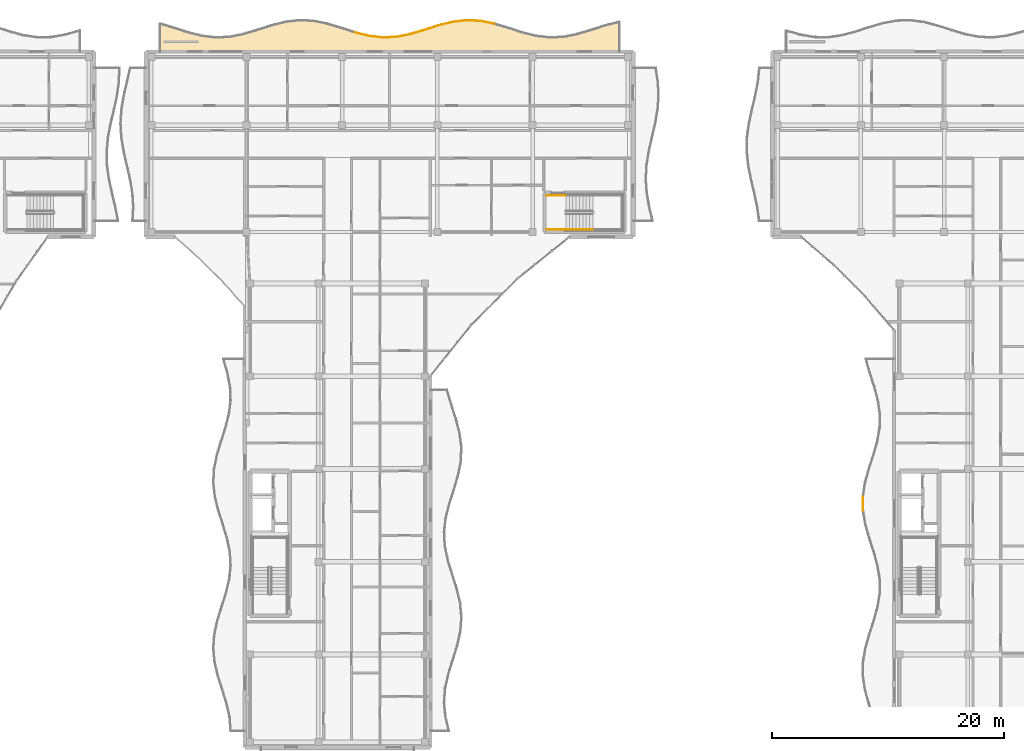
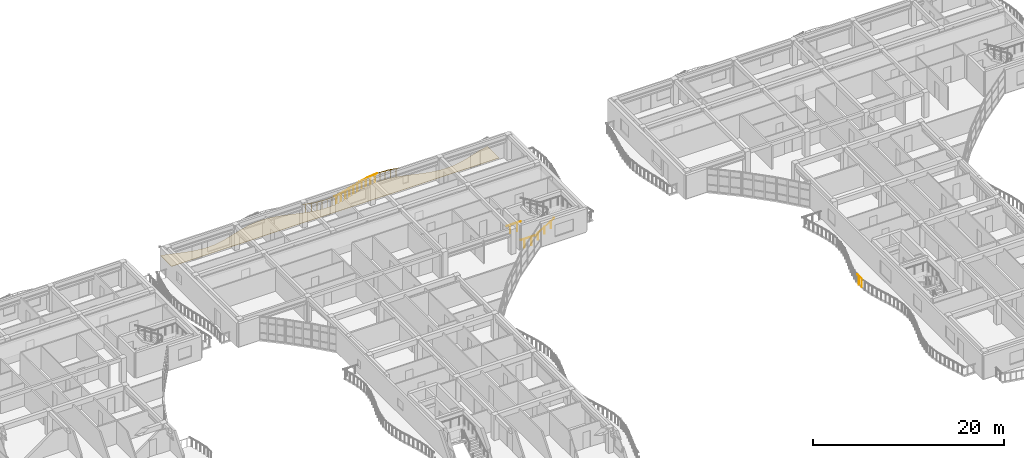
# One storey, part 67 of 79: 14 railings, 1 covering.
"""IFC4 building model written with IfcOpenShell, lengths in metres."""

from ifc_helpers import new_model, si_unit, direction, frame, origin, origin_2d, place, context, subcontext, project, spatial, polyline, circle, outline, extrude, material, layer, layer_set, type_object, element, save


model = new_model("IFC4")

# Units and contexts
model_context = context("Model", 3, precision=1e-05, world=origin(), true_north=direction((0.0, 1.0)))
body_context = subcontext(model_context, "Body", "Model", "MODEL_VIEW")
ifc_project = project(units=[si_unit("LENGTHUNIT", "METRE"), si_unit("AREAUNIT", "SQUARE_METRE"), si_unit("VOLUMEUNIT", "CUBIC_METRE"), si_unit("PLANEANGLEUNIT", "RADIAN"), si_unit("MASSUNIT", "GRAM", prefix="KILO")], contexts=[model_context])

# Site, building, storey
site_placement = place(None, origin())
site = spatial("IfcSite", under=ifc_project, at=site_placement, CompositionType="ELEMENT")
building_placement = place(site_placement, origin())
building = spatial("IfcBuilding", under=site, at=building_placement, Name="Keldmere Railside Commons", CompositionType="ELEMENT")
storey_placement = place(building_placement, frame((0.0, 0.0, 10.56005859375)))
storey = spatial("IfcBuildingStorey", under=building, at=storey_placement, Name="L03", CompositionType="ELEMENT", Elevation=10.56005859375)

# Railings
ifc_material_1 = material(Name="Steel F-24 (S235)", Category="steel")
railing_type_1 = type_object("IfcRailingType", Name="Balcony & Terrace Steel Balustrade 1100", PredefinedType="BALUSTRADE", material=ifc_material_1)
railing_1_placement = place(storey_placement, frame((57.5, 117.654052734375, 0.0)))
element("IfcRailing", 1, at=railing_1_placement, inside=storey, type_object=railing_type_1, Name="GR-1 GRD-L03-1063", PredefinedType="BALUSTRADE", context=body_context, shape_type="SweptSolid", body=[
    extrude(circle(Radius=0.02392578125, at=origin_2d()), frame((0.0, 0.0, 1.076171875), z_axis=(0.969195661645, -0.246292040976, 0.0), x_axis=(0.246292040976, 0.969195661645, 0.0)), (0.0, 0.0, 1.0), 1.238037109375),
    extrude(circle(Radius=0.02099609375, at=origin_2d()), frame((0.300048828125, -0.076171875, 0.0)), (0.0, 0.0, 1.0), 1.048095703125),
    extrude(circle(Radius=0.02099609375, at=origin_2d()), frame((0.89990234375, -0.228759765625, 0.0)), (0.0, 0.0, 1.0), 1.048095703125),
])
railing_2_placement = place(storey_placement, frame((58.699951171875, 117.34912109375, 0.0)))
element("IfcRailing", 2, at=railing_2_placement, inside=storey, type_object=railing_type_1, Name="GR-1 GRD-L03-1064", PredefinedType="BALUSTRADE", context=body_context, shape_type="SweptSolid", body=[
    extrude(circle(Radius=0.02392578125, at=origin_2d()), frame((0.0, 0.0, 1.076171875), z_axis=(0.992872058306, -0.119185048708, 0.0), x_axis=(0.119185048708, 0.992872058306, 0.0)), (0.0, 0.0, 1.0), 1.20849609375),
    extrude(circle(Radius=0.02099609375, at=origin_2d()), frame((0.300048828125, -0.0361328125, 0.0)), (0.0, 0.0, 1.0), 1.048095703125),
    extrude(circle(Radius=0.02099609375, at=origin_2d()), frame((0.89990234375, -0.10791015625, 0.0)), (0.0, 0.0, 1.0), 1.048095703125),
])
railing_3_placement = place(storey_placement, frame((59.89990234375, 117.205078125, 0.0)))
element("IfcRailing", 3, at=railing_3_placement, inside=storey, type_object=railing_type_1, Name="GR-1 GRD-L03-1065", PredefinedType="BALUSTRADE", context=body_context, shape_type="SweptSolid", body=[
    extrude(circle(Radius=0.02392578125, at=origin_2d()), frame((0.0, 0.0, 1.076171875), z_axis=(0.998916793821, 0.046532128923, 0.0), x_axis=(-0.046532128923, 0.998916793821, 0.0)), (0.0, 0.0, 1.0), 1.201416015625),
    extrude(circle(Radius=0.02099609375, at=origin_2d()), frame((0.300048828125, 0.013916015625, 0.0)), (0.0, 0.0, 1.0), 1.048095703125),
    extrude(circle(Radius=0.02099609375, at=origin_2d()), frame((0.900146484375, 0.0419921875, 0.0)), (0.0, 0.0, 1.0), 1.048095703125),
])
railing_4_placement = place(storey_placement, frame((61.10009765625, 117.260986328125, 0.0)))
element("IfcRailing", 4, at=railing_4_placement, inside=storey, type_object=railing_type_1, Name="GR-1 GRD-L03-1066", PredefinedType="BALUSTRADE", context=body_context, shape_type="SweptSolid", body=[
    extrude(circle(Radius=0.02392578125, at=origin_2d()), frame((0.0, 0.0, 1.076171875), z_axis=(0.980542291551, 0.196307958268, 0.0), x_axis=(-0.196307958268, 0.980542291551, 0.0)), (0.0, 0.0, 1.0), 1.223876953125),
    extrude(circle(Radius=0.02099609375, at=origin_2d()), frame((0.300048828125, 0.06005859375, 0.0)), (0.0, 0.0, 1.0), 1.048095703125),
    extrude(circle(Radius=0.02099609375, at=origin_2d()), frame((0.89990234375, 0.18017578125, 0.0)), (0.0, 0.0, 1.0), 1.048095703125),
])
railing_5_placement = place(storey_placement, frame((62.300048828125, 117.501220703125, 0.0)))
element("IfcRailing", 5, at=railing_5_placement, inside=storey, type_object=railing_type_1, Name="GR-1 GRD-L03-1067", PredefinedType="BALUSTRADE", context=body_context, shape_type="SweptSolid", body=[
    extrude(circle(Radius=0.02392578125, at=origin_2d()), frame((0.0, 0.0, 1.076171875), z_axis=(0.957692109251, 0.287794759992, 0.0), x_axis=(-0.287794759992, 0.957692109251, 0.0)), (0.0, 0.0, 1.0), 1.2529296875),
    extrude(circle(Radius=0.02099609375, at=origin_2d()), frame((0.300048828125, 0.090087890625, 0.0)), (0.0, 0.0, 1.0), 1.048095703125),
    extrude(circle(Radius=0.02099609375, at=origin_2d()), frame((0.89990234375, 0.2705078125, 0.0)), (0.0, 0.0, 1.0), 1.048095703125),
])
railing_6_placement = place(storey_placement, frame((63.5, 117.86181640625, 0.0)))
element("IfcRailing", 6, at=railing_6_placement, inside=storey, type_object=railing_type_1, Name="GR-1 GRD-L03-1068", PredefinedType="BALUSTRADE", context=body_context, shape_type="SweptSolid", body=[
    extrude(circle(Radius=0.02392578125, at=origin_2d()), frame((0.0, 0.0, 1.076171875), z_axis=(0.95241289681, 0.304810882336, 0.0), x_axis=(-0.304810882336, 0.95241289681, 0.0)), (0.0, 0.0, 1.0), 1.260009765625),
    extrude(circle(Radius=0.02099609375, at=origin_2d()), frame((0.300048828125, 0.095947265625, 0.0)), (0.0, 0.0, 1.0), 1.048095703125),
    extrude(circle(Radius=0.02099609375, at=origin_2d()), frame((0.89990234375, 0.2880859375, 0.0)), (0.0, 0.0, 1.0), 1.048095703125),
])
railing_7_placement = place(storey_placement, frame((64.699951171875, 118.245849609375, 0.0)))
element("IfcRailing", 7, at=railing_7_placement, inside=storey, type_object=railing_type_1, Name="GR-1 GRD-L03-1069", PredefinedType="BALUSTRADE", context=body_context, shape_type="SweptSolid", body=[
    extrude(circle(Radius=0.02392578125, at=origin_2d()), frame((0.0, 0.0, 1.076171875), z_axis=(0.969195661645, 0.246292040976, 0.0), x_axis=(-0.246292040976, 0.969195661645, 0.0)), (0.0, 0.0, 1.0), 1.238037109375),
    extrude(circle(Radius=0.02099609375, at=origin_2d()), frame((0.300048828125, 0.076171875, 0.0)), (0.0, 0.0, 1.0), 1.048095703125),
    extrude(circle(Radius=0.02099609375, at=origin_2d()), frame((0.89990234375, 0.228759765625, 0.0)), (0.0, 0.0, 1.0), 1.048095703125),
])
railing_8_placement = place(storey_placement, frame((65.89990234375, 118.55078125, 0.0)))
element("IfcRailing", 8, at=railing_8_placement, inside=storey, type_object=railing_type_1, Name="GR-1 GRD-L03-1070", PredefinedType="BALUSTRADE", context=body_context, shape_type="SweptSolid", body=[
    extrude(circle(Radius=0.02392578125, at=origin_2d()), frame((0.0, 0.0, 1.076171875), z_axis=(0.99287492699, 0.119161148683, 0.0), x_axis=(-0.119161148683, 0.99287492699, 0.0)), (0.0, 0.0, 1.0), 1.208740234375),
    extrude(circle(Radius=0.02099609375, at=origin_2d()), frame((0.300048828125, 0.0361328125, 0.0)), (0.0, 0.0, 1.0), 1.048095703125),
    extrude(circle(Radius=0.02099609375, at=origin_2d()), frame((0.900146484375, 0.10791015625, 0.0)), (0.0, 0.0, 1.0), 1.048095703125),
])
railing_9_placement = place(storey_placement, frame((67.10009765625, 118.69482421875, 0.0)))
element("IfcRailing", 9, at=railing_9_placement, inside=storey, type_object=railing_type_1, Name="GR-1 GRD-L03-1071", PredefinedType="BALUSTRADE", context=body_context, shape_type="SweptSolid", body=[
    extrude(circle(Radius=0.02392578125, at=origin_2d()), frame((0.0, 0.0, 1.076171875), z_axis=(0.998925782001, -0.046338774831, 0.0), x_axis=(0.046338774831, 0.998925782001, 0.0)), (0.0, 0.0, 1.0), 1.201171875),
    extrude(circle(Radius=0.02099609375, at=origin_2d()), frame((0.300048828125, -0.013916015625, 0.0)), (0.0, 0.0, 1.0), 1.048095703125),
    extrude(circle(Radius=0.02099609375, at=origin_2d()), frame((0.89990234375, -0.041748046875, 0.0)), (0.0, 0.0, 1.0), 1.048095703125),
])
railing_10_placement = place(storey_placement, frame((68.300048828125, 118.63916015625, 0.0)))
element("IfcRailing", 10, at=railing_10_placement, inside=storey, type_object=railing_type_1, Name="GR-1 GRD-L03-1072", PredefinedType="BALUSTRADE", context=body_context, shape_type="SweptSolid", body=[
    extrude(circle(Radius=0.02392578125, at=origin_2d()), frame((0.0, 0.0, 1.076171875), z_axis=(0.980542291551, -0.196307958268, 0.0), x_axis=(0.196307958268, 0.980542291551, 0.0)), (0.0, 0.0, 1.0), 1.223876953125),
    extrude(circle(Radius=0.02099609375, at=origin_2d()), frame((0.300048828125, -0.06005859375, 0.0)), (0.0, 0.0, 1.0), 1.048095703125),
    extrude(circle(Radius=0.02099609375, at=origin_2d()), frame((0.89990234375, -0.18017578125, 0.0)), (0.0, 0.0, 1.0), 1.048095703125),
])
railing_11_placement = place(storey_placement, frame((101.330810546875, 76.422119140625, 0.0)))
element("IfcRailing", 11, at=railing_11_placement, inside=storey, type_object=railing_type_1, Name="GR-1 GRD-L03-2186", PredefinedType="BALUSTRADE", context=body_context, shape_type="SweptSolid", body=[
    extrude(circle(Radius=0.02392578125, at=origin_2d()), frame((0.0, 0.0, 1.076171875), z_axis=(-0.009034538862, 0.999959187721, 0.0), x_axis=(-0.999959187721, -0.009034538862, 0.0)), (0.0, 0.0, 1.0), 1.18896484375),
    extrude(circle(Radius=0.02099609375, at=origin_2d()), frame((-0.002685546875, 0.29736328125, 0.0)), (0.0, 0.0, 1.0), 1.048095703125),
    extrude(circle(Radius=0.02099609375, at=origin_2d()), frame((-0.008056640625, 0.8916015625, 0.0)), (0.0, 0.0, 1.0), 1.048095703125),
])
railing_type_2 = type_object("IfcRailingType", Name="Stair Well Steel Guardrail 1100", PredefinedType="BALUSTRADE", material=ifc_material_1)
for number, where, name in (
    (12, (74.0, 100.64990234375, 0.0), "L03 ST-C2 stair guard 8"),
    (13, (74.0, 103.60009765625, 0.0), "L03 ST-C2 stair guard 9"),
):
    element("IfcRailing", number, at=place(storey_placement, frame(where)), inside=storey, type_object=railing_type_2, Name=name, PredefinedType="BALUSTRADE", context=body_context, shape_type="SweptSolid", body=[
        extrude(circle(Radius=0.02392578125, at=origin_2d()), frame((0.0, 0.0, 1.076171875), z_axis=(1.0, 0.0, 0.0), x_axis=(0.0, 1.0, 0.0)), (0.0, 0.0, 1.0), 1.699951171875),
        extrude(circle(Radius=0.02099609375, at=origin_2d()), frame((0.425048828125, 0.0, 0.0)), (0.0, 0.0, 1.0), 1.048095703125),
        extrude(circle(Radius=0.02099609375, at=origin_2d()), frame((1.27490234375, 0.0, 0.0)), (0.0, 0.0, 1.0), 1.048095703125),
    ])
railing_type_3 = type_object("IfcRailingType", Name="Wall-Mounted Tubular Steel Handrail 900", PredefinedType="HANDRAIL", material=ifc_material_1)
railing_12_placement = place(storey_placement, frame((75.699951171875, 100.64990234375, 0.177734375)))
element("IfcRailing", 14, at=railing_12_placement, inside=storey, type_object=railing_type_3, Name="L03 ST-C2 stair handrail 1", PredefinedType="HANDRAIL", context=body_context, shape_type="SweptSolid", body=[
    extrude(circle(Radius=0.02392578125, at=origin_2d()), frame((0.0, 0.0, 0.8759765625), z_axis=(0.852578041948, 0.0, 0.522599925744), x_axis=(0.0, 1.0, 0.0)), (0.0, 0.0, 1.0), 2.72119140625),
    extrude(circle(Radius=0.02099609375, at=origin_2d()), frame((0.38671875, 0.0, 0.237060546875)), (0.0, 0.0, 1.0), 0.847900390625),
    extrude(circle(Radius=0.02099609375, at=origin_2d()), frame((1.16015625, 0.0, 0.7109375)), (0.0, 0.0, 1.0), 0.847900390625),
    extrude(circle(Radius=0.02099609375, at=origin_2d()), frame((1.933349609375, 0.0, 1.18505859375)), (0.0, 0.0, 1.0), 0.847900390625),
])

# Covering
ifc_material_2 = material(Name="White Precast Concrete C35/45", Category="concrete")
ifc_layer = layer(ifc_material_2, 0.044921875, Name="White Architectural Balcony Ribbon Cladding 45")
ifc_layer_set = layer_set([ifc_layer], Name="White Precast Concrete C35/45")
covering_type = type_object("IfcCoveringType", Name="White Architectural Balcony Ribbon Cladding 45", PredefinedType="FLOORING", material=ifc_layer_set)
covering_placement = place(storey_placement, origin())
element("IfcCovering", 15, at=covering_placement, inside=storey, type_object=covering_type, Name="CLG-WB C L03 N White Balcony Ribbon", PredefinedType="FLOORING", context=body_context, shape_type="SweptSolid", body=[
    extrude(outline(polyline([(80.260009765625, 116.0400390625), (80.260009765625, 118.49951171875), (79.111083984375, 118.20751953125), (77.912109375, 117.823486328125), (77.91162109375, 117.823486328125), (76.71142578125, 117.462890625), (76.7080078125, 117.4619140625), (75.5078125, 117.2216796875), (75.5048828125, 117.22119140625), (75.501953125, 117.220947265625), (74.302001953125, 117.165283203125), (74.298583984375, 117.165283203125), (74.295166015625, 117.16552734375), (73.09521484375, 117.309326171875), (73.090087890625, 117.310302734375), (71.89013671875, 117.615234375), (71.8876953125, 117.615966796875), (70.68798828125, 118.0), (69.490234375, 118.360107421875), (68.295166015625, 118.599365234375), (67.1015625, 118.65478515625), (65.9072265625, 118.511474609375), (64.7109375, 118.20751953125), (63.51220703125, 117.823486328125), (63.511474609375, 117.823486328125), (62.3115234375, 117.462890625), (62.307861328125, 117.4619140625), (61.10791015625, 117.2216796875), (61.10498046875, 117.22119140625), (61.101806640625, 117.220947265625), (59.90185546875, 117.165283203125), (59.8984375, 117.165283203125), (59.895263671875, 117.16552734375), (58.6953125, 117.309326171875), (58.690185546875, 117.310302734375), (57.489990234375, 117.615234375), (57.48779296875, 117.615966796875), (56.2880859375, 118.0), (55.09033203125, 118.360107421875), (53.89501953125, 118.599365234375), (52.701416015625, 118.65478515625), (51.50732421875, 118.511474609375), (50.31103515625, 118.20751953125), (49.1123046875, 117.823486328125), (49.111572265625, 117.823486328125), (47.91162109375, 117.462890625), (47.907958984375, 117.4619140625), (46.7080078125, 117.2216796875), (46.704833984375, 117.22119140625), (46.701904296875, 117.220947265625), (45.501953125, 117.165283203125), (45.49853515625, 117.165283203125), (45.4951171875, 117.16552734375), (44.295166015625, 117.309326171875), (44.2900390625, 117.310302734375), (43.090087890625, 117.615234375), (43.087890625, 117.615966796875), (41.88818359375, 118.0), (40.739990234375, 118.34521484375), (40.739990234375, 116.0400390625), (80.260009765625, 116.0400390625)])), origin(), (0.0, 0.0, 1.0), 0.044921875),
])

save(model, "model.ifc")
